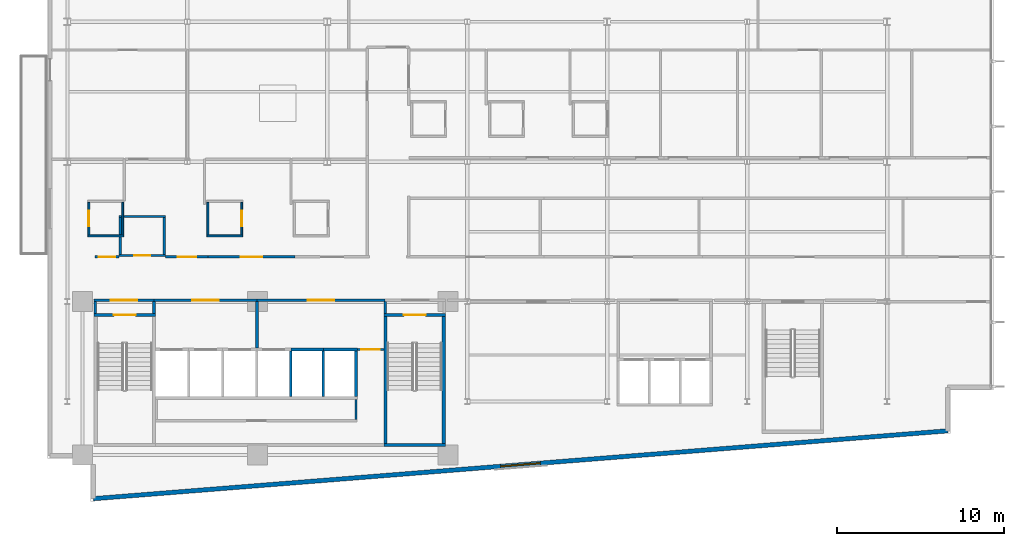
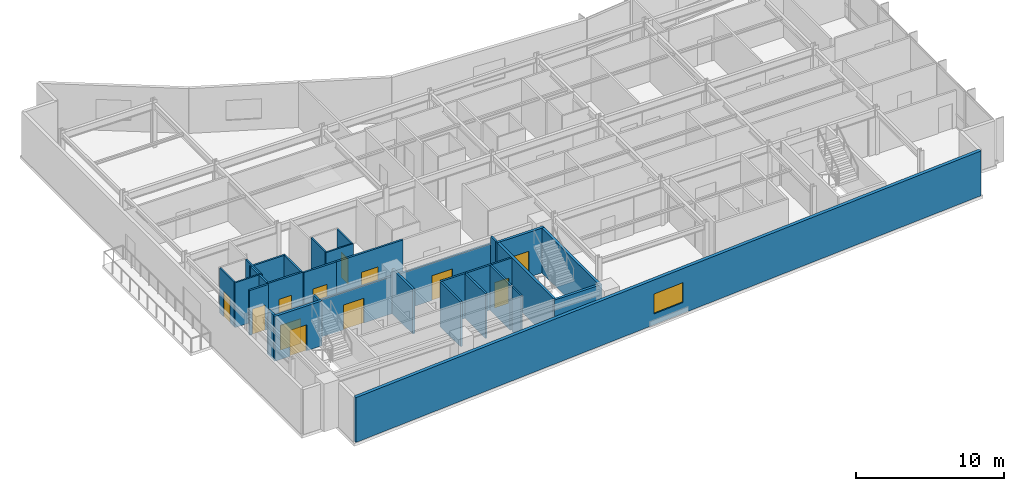
# One storey, part 10 of 19: 33 walls, 12 doors, 1 window, 13 openings.
"""IFC4 building model written with IfcOpenShell, lengths in metres."""

from ifc_helpers import new_model, si_unit, direction, frame, frame_2d, origin, place, context, subcontext, project, spatial, rectangle, extrude, material, layer, layer_set, type_object, element, fill, save


model = new_model("IFC4")

# Units and contexts
model_context = context("Model", 3, precision=1e-05, world=origin(), true_north=direction((0.0, 1.0)))
body_context = subcontext(model_context, "Body", "Model", "MODEL_VIEW")
ifc_project = project(units=[si_unit("LENGTHUNIT", "METRE"), si_unit("AREAUNIT", "SQUARE_METRE"), si_unit("VOLUMEUNIT", "CUBIC_METRE"), si_unit("PLANEANGLEUNIT", "RADIAN"), si_unit("MASSUNIT", "GRAM", prefix="KILO")], contexts=[model_context])

# Site, building, storey
site_placement = place(None, origin())
site = spatial("IfcSite", under=ifc_project, at=site_placement, CompositionType="ELEMENT")
building_placement = place(site_placement, origin())
building = spatial("IfcBuilding", under=site, at=building_placement, Name="Varnakote Quay Hospital", CompositionType="ELEMENT")
storey_placement = place(building_placement, frame((0.0, 0.0, 115.199951171875)))
storey = spatial("IfcBuildingStorey", under=building, at=storey_placement, Name="L28", CompositionType="ELEMENT", Elevation=115.199951171875)

# Wall
ifc_material_1 = material(Name="Fire-rated acoustic gypsum stud wall", Category="gypsum")
ifc_layer_1 = layer(ifc_material_1, 0.159912109375)
ifc_layer_set_1 = layer_set([ifc_layer_1], Name="Fire-rated acoustic gypsum stud wall")
wall_type_1 = type_object("IfcWallType", Name="WL-COMP-160", PredefinedType="PARTITIONING", material=ifc_layer_set_1)
wall_1_placement = place(storey_placement, frame((2.8798828125, 11.300048828125, 0.0), z_axis=(0.0, 0.0, 1.0), x_axis=(0.0, 1.0, 0.0)))
element("IfcWall", 1, at=wall_1_placement, inside=storey, type_object=wall_type_1, Name="L28 West Stair Vestibule West Wall", PredefinedType="PARTITIONING", context=body_context, shape_type="SweptSolid", body=[
    extrude(rectangle(XDim=0.699951171875, YDim=0.159912109375, at=frame_2d((0.35009765625, 0.0))), origin(), (0.0, 0.0, 1.0), 3.7099609375),
])

# Wall, opening, door
wall_2_placement = place(storey_placement, frame((2.800048828125, 12.080078125, 0.0), z_axis=(0.0, 0.0, 1.0), x_axis=(1.0, 0.0, 0.0)))
wall_2 = element("IfcWall", 2, at=wall_2_placement, inside=storey, type_object=wall_type_1, Name="L28 West Stair Vestibule Smoke Wall", PredefinedType="PARTITIONING", context=body_context, shape_type="SweptSolid", body=[
    extrude(rectangle(XDim=3.599853515625, YDim=0.159912109375, at=frame_2d((1.7998046875, 0.0))), origin(), (0.0, 0.0, 1.0), 3.0830078125),
])
opening_1_placement = place(wall_2_placement, frame((1.0, 0.0, 0.0)))
opening_1 = element("IfcOpeningElement", 3, at=opening_1_placement, cuts=wall_2, Name="Opening D-ST1L-L28", PredefinedType="OPENING", context=body_context, shape_type="SweptSolid", body=[
    extrude(rectangle(XDim=1.60009765625, YDim=2.050048828125, at=frame_2d((0.800048828125, 1.02490234375))), frame((0.0, 0.08984375, 0.0), z_axis=(0.0, -1.0, 0.0), x_axis=(1.0, 0.0, 0.0)), (0.0, 0.0, 1.0), 0.179931640625),
])
ifc_material_2 = material(Name="Fire-rated double smoke lobby door")
door_type_1 = type_object("IfcDoorType", Name="DR-LOBBY-FD60S-1600x2150", OperationType="NOTDEFINED", PredefinedType="DOOR", material=ifc_material_2)
door_1_placement = place(opening_1_placement, origin())
door_1 = element("IfcDoor", 4, at=door_1_placement, inside=storey, type_object=door_type_1, Name="L28 West Stair Vestibule Smoke Door", OperationType="DOUBLE_DOOR_SINGLE_SWING", OverallHeight=2.050048828125, OverallWidth=1.60009765625, PredefinedType="DOOR", context=body_context, shape_type="SweptSolid", body=[
    extrude(rectangle(XDim=1.60009765625, YDim=2.050048828125, at=frame_2d((0.800048828125, 1.02490234375))), frame((0.0, 0.02490234375, 0.0), z_axis=(0.0, -1.0, 0.0), x_axis=(1.0, 0.0, 0.0)), (0.0, 0.0, 1.0), 0.050048828125),
])
fill(opening_1, door_1)

# Wall
wall_3_placement = place(storey_placement, frame((6.39990234375, 11.300048828125, 0.0), z_axis=(0.0, 0.0, 1.0), x_axis=(0.0, 1.0, 0.0)))
element("IfcWall", 5, at=wall_3_placement, inside=storey, type_object=wall_type_1, Name="L28 Firefighting Lobby West Wall", PredefinedType="PARTITIONING", context=body_context, shape_type="SweptSolid", body=[
    extrude(rectangle(XDim=0.699951171875, YDim=0.159912109375, at=frame_2d((0.35009765625, 0.0))), origin(), (0.0, 0.0, 1.0), 3.7099609375),
])

# Wall, opening, door
wall_4_placement = place(storey_placement, frame((6.39990234375, 12.080078125, 0.0), z_axis=(0.0, 0.0, 1.0), x_axis=(1.0, 0.0, 0.0)))
wall_4 = element("IfcWall", 6, at=wall_4_placement, inside=storey, type_object=wall_type_1, Name="L28 Firefighting Lift Lobby Compartment Wall", PredefinedType="PARTITIONING", context=body_context, shape_type="SweptSolid", body=[
    extrude(rectangle(XDim=6.18017578125, YDim=0.159912109375, at=frame_2d((3.090087890625, 0.0))), origin(), (0.0, 0.0, 1.0), 3.0830078125),
])
opening_2_placement = place(wall_4_placement, frame((2.2900390625, 0.0, 0.0)))
opening_2 = element("IfcOpeningElement", 7, at=opening_2_placement, cuts=wall_4, Name="Opening D-FFL-L28", PredefinedType="OPENING", context=body_context, shape_type="SweptSolid", body=[
    extrude(rectangle(XDim=1.60009765625, YDim=2.050048828125, at=frame_2d((0.800048828125, 1.02490234375))), frame((0.0, 0.08984375, 0.0), z_axis=(0.0, -1.0, 0.0), x_axis=(1.0, 0.0, 0.0)), (0.0, 0.0, 1.0), 0.179931640625),
])
door_2_placement = place(opening_2_placement, origin())
door_2 = element("IfcDoor", 8, at=door_2_placement, inside=storey, type_object=door_type_1, Name="L28 Firefighting Smoke Vestibule Door", OperationType="DOUBLE_DOOR_SINGLE_SWING", OverallHeight=2.050048828125, OverallWidth=1.60009765625, PredefinedType="DOOR", context=body_context, shape_type="SweptSolid", body=[
    extrude(rectangle(XDim=1.60009765625, YDim=2.050048828125, at=frame_2d((0.800048828125, 1.02490234375))), frame((0.0, 0.02490234375, 0.0), z_axis=(0.0, -1.0, 0.0), x_axis=(1.0, 0.0, 0.0)), (0.0, 0.0, 1.0), 0.050048828125),
])
fill(opening_2, door_2)

# Wall
wall_5_placement = place(storey_placement, frame((12.580078125, 9.2099609375, 0.0), z_axis=(0.0, 0.0, 1.0), x_axis=(0.0, 1.0, 0.0)))
element("IfcWall", 9, at=wall_5_placement, inside=storey, type_object=wall_type_1, Name="L28 Firefighting to Service Lobby Wall", PredefinedType="PARTITIONING", context=body_context, shape_type="SweptSolid", body=[
    extrude(rectangle(XDim=2.7900390625, YDim=0.159912109375, at=frame_2d((1.39501953125, 0.0))), origin(), (0.0, 0.0, 1.0), 3.7099609375),
])

# Wall, opening, door
wall_6_placement = place(storey_placement, frame((12.580078125, 12.080078125, 0.0), z_axis=(0.0, 0.0, 1.0), x_axis=(1.0, 0.0, 0.0)))
wall_6 = element("IfcWall", 10, at=wall_6_placement, inside=storey, type_object=wall_type_1, Name="L28 Clinical Bed Lift Lobby Wall", PredefinedType="PARTITIONING", context=body_context, shape_type="SweptSolid", body=[
    extrude(rectangle(XDim=7.699951171875, YDim=0.159912109375, at=frame_2d((3.85009765625, 0.0))), origin(), (0.0, 0.0, 1.0), 3.0830078125),
])
opening_3_placement = place(wall_6_placement, frame((3.050048828125, 0.0, 0.0)))
opening_3 = element("IfcOpeningElement", 11, at=opening_3_placement, cuts=wall_6, Name="Opening D-SVL-L28", PredefinedType="OPENING", context=body_context, shape_type="SweptSolid", body=[
    extrude(rectangle(XDim=1.60009765625, YDim=2.050048828125, at=frame_2d((0.800048828125, 1.02490234375))), frame((0.0, 0.08984375, 0.0), z_axis=(0.0, -1.0, 0.0), x_axis=(1.0, 0.0, 0.0)), (0.0, 0.0, 1.0), 0.179931640625),
])
door_3_placement = place(opening_3_placement, origin())
door_3 = element("IfcDoor", 12, at=door_3_placement, inside=storey, type_object=door_type_1, Name="L28 Clinical Core Smoke Vestibule Door", OperationType="DOUBLE_DOOR_SINGLE_SWING", OverallHeight=2.050048828125, OverallWidth=1.60009765625, PredefinedType="DOOR", context=body_context, shape_type="SweptSolid", body=[
    extrude(rectangle(XDim=1.60009765625, YDim=2.050048828125, at=frame_2d((0.800048828125, 1.02490234375))), frame((0.0, 0.02490234375, 0.0), z_axis=(0.0, -1.0, 0.0), x_axis=(1.0, 0.0, 0.0)), (0.0, 0.0, 1.0), 0.050048828125),
])
fill(opening_3, door_3)

# Walls
wall_7_placement = place(storey_placement, frame((20.280029296875, 11.300048828125, 0.0), z_axis=(0.0, 0.0, 1.0), x_axis=(0.0, 1.0, 0.0)))
element("IfcWall", 13, at=wall_7_placement, inside=storey, type_object=wall_type_1, Name="L28 East Stair Vestibule Divider Wall", PredefinedType="PARTITIONING", context=body_context, shape_type="SweptSolid", body=[
    extrude(rectangle(XDim=0.699951171875, YDim=0.159912109375, at=frame_2d((0.35009765625, 0.0))), origin(), (0.0, 0.0, 1.0), 3.7099609375),
])
ifc_material_3 = material(Name="Moisture-resistant bathroom partition", Category="gypsum")
ifc_layer_2 = layer(ifc_material_3, 0.114990234375)
ifc_layer_set_2 = layer_set([ifc_layer_2], Name="Moisture-resistant bathroom partition")
wall_type_2 = type_object("IfcWallType", Name="WL-ENS-115", PredefinedType="PARTITIONING", material=ifc_layer_set_2)
wall_8_placement = place(storey_placement, frame((2.43505859375, 15.952392578125, 0.0), z_axis=(0.0, 0.0, 1.0), x_axis=(1.0, 0.0, 0.0)))
element("IfcWall", 14, at=wall_8_placement, inside=storey, type_object=wall_type_2, Name="L28 Inpatient En-Suite Bathroom 01 S Wall", PredefinedType="PARTITIONING", context=body_context, shape_type="SweptSolid", body=[
    extrude(rectangle(XDim=2.14990234375, YDim=0.114990234375, at=frame_2d((1.074951171875, 0.0))), origin(), (0.0, 0.0, 1.0), 3.7099609375),
])

# Wall, opening, door
wall_9_placement = place(storey_placement, frame((2.492431640625, 16.010009765625, 0.0), z_axis=(0.0, 0.0, 1.0), x_axis=(0.0, 1.0, 0.0)))
wall_9 = element("IfcWall", 15, at=wall_9_placement, inside=storey, type_object=wall_type_2, Name="L28 Inpatient En-Suite Bathroom 01 W Wall", PredefinedType="PARTITIONING", context=body_context, shape_type="SweptSolid", body=[
    extrude(rectangle(XDim=1.949951171875, YDim=0.114990234375, at=frame_2d((0.97509765625, 0.0))), origin(), (0.0, 0.0, 1.0), 3.7099609375),
])
opening_4_placement = place(wall_9_placement, frame((0.514892578125, 0.0, 0.0)))
opening_4 = element("IfcOpeningElement", 16, at=opening_4_placement, cuts=wall_9, Name="Opening D-L28-ENS01", PredefinedType="OPENING", context=body_context, shape_type="SweptSolid", body=[
    extrude(rectangle(XDim=0.919921875, YDim=2.10009765625, at=frame_2d((0.4599609375, 1.050048828125))), frame((0.0, 0.0673828125, 0.0), z_axis=(0.0, -1.0, 0.0), x_axis=(1.0, 0.0, 0.0)), (0.0, 0.0, 1.0), 0.135009765625),
])
ifc_material_4 = material(Name="Moisture-sealed en-suite bathroom door")
door_type_2 = type_object("IfcDoorType", Name="DR-ENS-920x2100", OperationType="NOTDEFINED", PredefinedType="DOOR", material=ifc_material_4)
door_4_placement = place(opening_4_placement, origin())
door_4 = element("IfcDoor", 17, at=door_4_placement, inside=storey, type_object=door_type_2, Name="L28 Inpatient En-Suite Bathroom 01 Door", OperationType="SINGLE_SWING_LEFT", OverallHeight=2.10009765625, OverallWidth=0.919921875, PredefinedType="DOOR", context=body_context, shape_type="SweptSolid", body=[
    extrude(rectangle(XDim=0.919921875, YDim=2.10009765625, at=frame_2d((0.4599609375, 1.050048828125))), frame((0.0, 0.02490234375, 0.0), z_axis=(0.0, -1.0, 0.0), x_axis=(1.0, 0.0, 0.0)), (0.0, 0.0, 1.0), 0.050048828125),
])
fill(opening_4, door_4)

# Walls
wall_10_placement = place(storey_placement, frame((4.527587890625, 16.010009765625, 0.0), z_axis=(0.0, 0.0, 1.0), x_axis=(0.0, 1.0, 0.0)))
element("IfcWall", 18, at=wall_10_placement, inside=storey, type_object=wall_type_2, Name="L28 Inpatient En-Suite Bathroom 01 E Wall", PredefinedType="PARTITIONING", context=body_context, shape_type="SweptSolid", body=[
    extrude(rectangle(XDim=1.949951171875, YDim=0.114990234375, at=frame_2d((0.97509765625, 0.0))), origin(), (0.0, 0.0, 1.0), 3.7099609375),
])
wall_11_placement = place(storey_placement, frame((9.574951171875, 15.952392578125, 0.0), z_axis=(0.0, 0.0, 1.0), x_axis=(1.0, 0.0, 0.0)))
element("IfcWall", 19, at=wall_11_placement, inside=storey, type_object=wall_type_2, Name="L28 Inpatient En-Suite Bathroom 02 S Wall", PredefinedType="PARTITIONING", context=body_context, shape_type="SweptSolid", body=[
    extrude(rectangle(XDim=2.150146484375, YDim=0.114990234375, at=frame_2d((1.0751953125, 0.0))), origin(), (0.0, 0.0, 1.0), 3.7099609375),
])
wall_12_placement = place(storey_placement, frame((9.632568359375, 16.010009765625, 0.0), z_axis=(0.0, 0.0, 1.0), x_axis=(0.0, 1.0, 0.0)))
element("IfcWall", 20, at=wall_12_placement, inside=storey, type_object=wall_type_2, Name="L28 Inpatient En-Suite Bathroom 02 W Wall", PredefinedType="PARTITIONING", context=body_context, shape_type="SweptSolid", body=[
    extrude(rectangle(XDim=1.949951171875, YDim=0.114990234375, at=frame_2d((0.97509765625, 0.0))), origin(), (0.0, 0.0, 1.0), 3.7099609375),
])

# Wall, opening, door
wall_13_placement = place(storey_placement, frame((11.66748046875, 16.010009765625, 0.0), z_axis=(0.0, 0.0, 1.0), x_axis=(0.0, 1.0, 0.0)))
wall_13 = element("IfcWall", 21, at=wall_13_placement, inside=storey, type_object=wall_type_2, Name="L28 Inpatient En-Suite Bathroom 02 E Wall", PredefinedType="PARTITIONING", context=body_context, shape_type="SweptSolid", body=[
    extrude(rectangle(XDim=1.949951171875, YDim=0.114990234375, at=frame_2d((0.97509765625, 0.0))), origin(), (0.0, 0.0, 1.0), 3.7099609375),
])
opening_5_placement = place(wall_13_placement, frame((0.514892578125, 0.0, 0.0)))
opening_5 = element("IfcOpeningElement", 22, at=opening_5_placement, cuts=wall_13, Name="Opening D-L28-ENS02", PredefinedType="OPENING", context=body_context, shape_type="SweptSolid", body=[
    extrude(rectangle(XDim=0.919921875, YDim=2.10009765625, at=frame_2d((0.4599609375, 1.050048828125))), frame((0.0, 0.0673828125, 0.0), z_axis=(0.0, -1.0, 0.0), x_axis=(1.0, 0.0, 0.0)), (0.0, 0.0, 1.0), 0.135009765625),
])
door_5_placement = place(opening_5_placement, origin())
door_5 = element("IfcDoor", 23, at=door_5_placement, inside=storey, type_object=door_type_2, Name="L28 Inpatient En-Suite Bathroom 02 Door", OperationType="SINGLE_SWING_RIGHT", OverallHeight=2.10009765625, OverallWidth=0.919921875, PredefinedType="DOOR", context=body_context, shape_type="SweptSolid", body=[
    extrude(rectangle(XDim=0.919921875, YDim=2.10009765625, at=frame_2d((0.4599609375, 1.050048828125))), frame((0.0, 0.02490234375, 0.0), z_axis=(0.0, -1.0, 0.0), x_axis=(1.0, 0.0, 0.0)), (0.0, 0.0, 1.0), 0.050048828125),
])
fill(opening_5, door_5)

# Wall, opening, window
ifc_material_5 = material(Name="Precast concrete N50 (f'c 50 MPa)", Category="concrete")
ifc_layer_3 = layer(ifc_material_5, 0.260009765625)
ifc_layer_set_3 = layer_set([ifc_layer_3], Name="Precast concrete N50 (f'c 50 MPa)")
wall_type_3 = type_object("IfcWallType", Name="WL-EXT-BRICK-260", PredefinedType="STANDARD", material=ifc_layer_set_3)
wall_14_placement = place(storey_placement, frame((2.760009765625, 0.173095703125, 0.0), z_axis=(0.0, 0.0, 1.0), x_axis=(0.996857931723, 0.079210251617, 0.0)))
wall_14 = element("IfcWall", 24, at=wall_14_placement, inside=storey, type_object=wall_type_3, Name="L28 Brick-Faced Precast Exterior Wall", PredefinedType="STANDARD", context=body_context, shape_type="SweptSolid", body=[
    extrude(rectangle(XDim=51.441650390625, YDim=0.260009765625, at=frame_2d((25.720703125, 0.0))), origin(), (0.0, 0.0, 1.0), 3.7099609375),
])
opening_6_placement = place(wall_14_placement, frame((24.520751953125, 0.0, 0.89990234375)))
opening_6 = element("IfcOpeningElement", 25, at=opening_6_placement, cuts=wall_14, Name="Opening WN-0122", PredefinedType="OPENING", context=body_context, shape_type="SweptSolid", body=[
    extrude(rectangle(XDim=2.39990234375, YDim=1.64990234375, at=frame_2d((1.199951171875, 0.824951171875))), frame((0.0, 0.139892578125, 0.0), z_axis=(0.0, -1.0, 0.0), x_axis=(1.0, 0.0, 0.0)), (0.0, 0.0, 1.0), 0.280029296875),
])
ifc_material_6 = material(Name="Double-glazed low-E solar glass", Category="glass")
window_type = type_object("IfcWindowType", Name="WIN-CLIN-2400x1650", PartitioningType="SINGLE_PANEL", PredefinedType="WINDOW", material=ifc_material_6)
window_placement = place(opening_6_placement, origin())
window = element("IfcWindow", 26, at=window_placement, inside=storey, type_object=window_type, Name="L28 Solar-Control Clinical Window", OverallHeight=1.64990234375, OverallWidth=2.39990234375, PartitioningType="SINGLE_PANEL", PredefinedType="WINDOW", context=body_context, shape_type="SweptSolid", body=[
    extrude(rectangle(XDim=2.39990234375, YDim=1.64990234375, at=frame_2d((1.199951171875, 0.824951171875))), frame((0.0, 0.030029296875, 0.0), z_axis=(0.0, -1.0, 0.0), x_axis=(1.0, 0.0, 0.0)), (0.0, 0.0, 1.0), 0.06005859375),
])
fill(opening_6, window)

# Walls
ifc_material_7 = material(Name="Concrete N50 (f'c 50 MPa)", Category="concrete")
ifc_layer_4 = layer(ifc_material_7, 0.14990234375)
ifc_layer_set_4 = layer_set([ifc_layer_4], Name="Concrete N50 (f'c 50 MPa)")
wall_type_4 = type_object("IfcWallType", Name="WL-SHAFT-N50-150", PredefinedType="SHEAR", material=ifc_layer_set_4)
for number, where, z_axis, x_axis, name in (
    (27, (14.625, 6.300048828125, 0.0), (0.0, 0.0, 1.0), (0.0, 1.0, 0.0), "L28 LF-SV2 Hoistway Divider Wall"),
    (28, (16.574951171875, 6.300048828125, 0.0), (0.0, 0.0, 1.0), (0.0, 1.0, 0.0), "L28 LF-PH1 Hoistway Divider Wall"),
):
    element("IfcWall", number, at=place(storey_placement, frame(where, z_axis=z_axis, x_axis=x_axis)), inside=storey, type_object=wall_type_4, Name=name, PredefinedType="SHEAR", context=body_context, shape_type="SweptSolid", body=[
        extrude(rectangle(XDim=2.75, YDim=0.14990234375, at=frame_2d((1.375, 0.0))), origin(), (0.0, 0.0, 1.0), 3.7099609375),
    ])
ifc_material_8 = material(Name="Concrete N50 (f'c 50 MPa)", Category="concrete")
ifc_layer_5 = layer(ifc_material_8, 0.159912109375)
ifc_layer_set_5 = layer_set([ifc_layer_5], Name="Concrete N50 (f'c 50 MPa)")
wall_type_5 = type_object("IfcWallType", Name="WL-SHAFT-N50-160", PredefinedType="SHEAR", material=ifc_layer_set_5)
wall_15_placement = place(storey_placement, frame((18.530029296875, 6.300048828125, 0.0), z_axis=(0.0, 0.0, 1.0), x_axis=(0.0, 1.0, 0.0)))
element("IfcWall", 29, at=wall_15_placement, inside=storey, type_object=wall_type_5, Name="L28 REAR Lift Bank East Shear Wall", PredefinedType="SHEAR", context=body_context, shape_type="SweptSolid", body=[
    extrude(rectangle(XDim=2.75, YDim=0.159912109375, at=frame_2d((1.375, 0.0))), origin(), (0.0, 0.0, 1.0), 3.7099609375),
])
wall_16_placement = place(storey_placement, frame((14.625, 9.1298828125, 0.0), z_axis=(0.0, 0.0, 1.0), x_axis=(1.0, 0.0, 0.0)))
element("IfcWall", 30, at=wall_16_placement, inside=storey, type_object=wall_type_5, Name="L28 LF-PH1 Hoistway Front Wall", PredefinedType="SHEAR", context=body_context, shape_type="SweptSolid", body=[
    extrude(rectangle(XDim=1.949951171875, YDim=0.159912109375, at=frame_2d((0.97509765625, 0.0))), origin(), (0.0, 0.0, 1.0), 3.7099609375),
])
wall_17_placement = place(storey_placement, frame((16.574951171875, 9.1298828125, 0.0), z_axis=(0.0, 0.0, 1.0), x_axis=(1.0, 0.0, 0.0)))
element("IfcWall", 31, at=wall_17_placement, inside=storey, type_object=wall_type_5, Name="L28 LF-PH2 Hoistway Front Wall", PredefinedType="SHEAR", context=body_context, shape_type="SweptSolid", body=[
    extrude(rectangle(XDim=2.03515625, YDim=0.159912109375, at=frame_2d((1.017578125, 0.0))), origin(), (0.0, 0.0, 1.0), 3.7099609375),
])

# Wall, opening, door
ifc_material_9 = material(Name="Concrete N50 (f'c 50 MPa)", Category="concrete")
ifc_layer_6 = layer(ifc_material_9, 0.199951171875)
ifc_layer_set_6 = layer_set([ifc_layer_6], Name="Concrete N50 (f'c 50 MPa)")
wall_type_6 = type_object("IfcWallType", Name="WL-SHAFT-N50-200", PredefinedType="SHEAR", material=ifc_layer_set_6)
wall_18_placement = place(storey_placement, frame((2.800048828125, 11.199951171875, 0.0), z_axis=(0.0, 0.0, 1.0), x_axis=(1.0, 0.0, 0.0)))
wall_18 = element("IfcWall", 32, at=wall_18_placement, inside=storey, type_object=wall_type_6, Name="L28 Stair ST1 Exit Wall", PredefinedType="SHEAR", context=body_context, shape_type="SweptSolid", body=[
    extrude(rectangle(XDim=3.699951171875, YDim=0.199951171875, at=frame_2d((1.85009765625, 0.0))), origin(), (0.0, 0.0, 1.0), 3.7099609375),
])
opening_7_placement = place(wall_18_placement, frame((1.199951171875, 0.0, 0.0)))
opening_7 = element("IfcOpeningElement", 33, at=opening_7_placement, cuts=wall_18, Name="Opening D-ST1-L28", PredefinedType="OPENING", context=body_context, shape_type="SweptSolid", body=[
    extrude(rectangle(XDim=1.300048828125, YDim=2.14990234375, at=frame_2d((0.64990234375, 1.074951171875))), frame((0.0, 0.10986328125, 0.0), z_axis=(0.0, -1.0, 0.0), x_axis=(1.0, 0.0, 0.0)), (0.0, 0.0, 1.0), 0.219970703125),
])
ifc_material_10 = material(Name="Fire-rated ceramic-glazed timber exit door", Category="wood")
door_type_3 = type_object("IfcDoorType", Name="DR-STAIR-FD60S-1300x2150", OperationType="NOTDEFINED", PredefinedType="DOOR", material=ifc_material_10)
door_6_placement = place(opening_7_placement, origin())
door_6 = element("IfcDoor", 34, at=door_6_placement, inside=storey, type_object=door_type_3, Name="L28 Stair ST1 Fire Exit Door", OperationType="SINGLE_SWING_LEFT", OverallHeight=2.14990234375, OverallWidth=1.300048828125, PredefinedType="DOOR", context=body_context, shape_type="SweptSolid", body=[
    extrude(rectangle(XDim=1.300048828125, YDim=2.14990234375, at=frame_2d((0.64990234375, 1.074951171875))), frame((0.0, 0.02490234375, 0.0), z_axis=(0.0, -1.0, 0.0), x_axis=(1.0, 0.0, 0.0)), (0.0, 0.0, 1.0), 0.050048828125),
])
fill(opening_7, door_6)

# Walls
wall_19_placement = place(storey_placement, frame((20.199951171875, 3.39990234375, 0.0), z_axis=(0.0, 0.0, 1.0), x_axis=(1.0, 0.0, 0.0)))
element("IfcWall", 35, at=wall_19_placement, inside=storey, type_object=wall_type_6, Name="L28 Stair ST2 South Shaft Wall", PredefinedType="SHEAR", context=body_context, shape_type="SweptSolid", body=[
    extrude(rectangle(XDim=3.699951171875, YDim=0.199951171875, at=frame_2d((1.85009765625, 0.0))), origin(), (0.0, 0.0, 1.0), 3.7099609375),
])
for number, where, z_axis, x_axis, name in (
    (36, (20.300048828125, 3.5, 0.0), (0.0, 0.0, 1.0), (0.0, 1.0, 0.0), "L28 Stair ST2 West Shaft Wall"),
    (37, (23.800048828125, 3.5, 0.0), (0.0, 0.0, 1.0), (0.0, 1.0, 0.0), "L28 Stair ST2 East Shaft Wall"),
):
    element("IfcWall", number, at=place(storey_placement, frame(where, z_axis=z_axis, x_axis=x_axis)), inside=storey, type_object=wall_type_6, Name=name, PredefinedType="SHEAR", context=body_context, shape_type="SweptSolid", body=[
        extrude(rectangle(XDim=7.60009765625, YDim=0.199951171875, at=frame_2d((3.800048828125, 0.0))), origin(), (0.0, 0.0, 1.0), 3.7099609375),
    ])

# Wall, opening, door
wall_20_placement = place(storey_placement, frame((20.199951171875, 11.199951171875, 0.0), z_axis=(0.0, 0.0, 1.0), x_axis=(1.0, 0.0, 0.0)))
wall_20 = element("IfcWall", 38, at=wall_20_placement, inside=storey, type_object=wall_type_6, Name="L28 Stair ST2 Exit Wall", PredefinedType="SHEAR", context=body_context, shape_type="SweptSolid", body=[
    extrude(rectangle(XDim=3.699951171875, YDim=0.199951171875, at=frame_2d((1.85009765625, 0.0))), origin(), (0.0, 0.0, 1.0), 3.7099609375),
])
opening_8_placement = place(wall_20_placement, frame((1.199951171875, 0.0, 0.0)))
opening_8 = element("IfcOpeningElement", 39, at=opening_8_placement, cuts=wall_20, Name="Opening D-ST2-L28", PredefinedType="OPENING", context=body_context, shape_type="SweptSolid", body=[
    extrude(rectangle(XDim=1.300048828125, YDim=2.14990234375, at=frame_2d((0.64990234375, 1.074951171875))), frame((0.0, 0.10986328125, 0.0), z_axis=(0.0, -1.0, 0.0), x_axis=(1.0, 0.0, 0.0)), (0.0, 0.0, 1.0), 0.219970703125),
])
door_7_placement = place(opening_8_placement, origin())
door_7 = element("IfcDoor", 40, at=door_7_placement, inside=storey, type_object=door_type_3, Name="L28 Stair ST2 Fire Exit Door", OperationType="SINGLE_SWING_RIGHT", OverallHeight=2.14990234375, OverallWidth=1.300048828125, PredefinedType="DOOR", context=body_context, shape_type="SweptSolid", body=[
    extrude(rectangle(XDim=1.300048828125, YDim=2.14990234375, at=frame_2d((0.64990234375, 1.074951171875))), frame((0.0, 0.02490234375, 0.0), z_axis=(0.0, -1.0, 0.0), x_axis=(1.0, 0.0, 0.0)), (0.0, 0.0, 1.0), 0.050048828125),
])
fill(opening_8, door_7)

# Wall
ifc_material_11 = material(Name="Smoke-proof clinical partition", Category="gypsum")
ifc_layer_7 = layer(ifc_material_11, 0.1201171875)
ifc_layer_set_7 = layer_set([ifc_layer_7], Name="Smoke-proof clinical partition")
wall_type_7 = type_object("IfcWallType", Name="WL-SMOKE-120", PredefinedType="PARTITIONING", material=ifc_layer_set_7)
wall_21_placement = place(storey_placement, frame((18.5400390625, 4.919921875, 0.0), z_axis=(0.0, 0.0, 1.0), x_axis=(0.0, 1.0, 0.0)))
element("IfcWall", 41, at=wall_21_placement, inside=storey, type_object=wall_type_7, Name="L28 Core Service Strip East Wall", PredefinedType="PARTITIONING", context=body_context, shape_type="SweptSolid", body=[
    extrude(rectangle(XDim=1.219970703125, YDim=0.1201171875, at=frame_2d((0.60986328125, 0.0))), origin(), (0.0, 0.0, 1.0), 3.7099609375),
])

# Wall, opening, door
ifc_material_12 = material(Name="Fire-rated clinical gypsum partition", Category="gypsum")
ifc_layer_8 = layer(ifc_material_12, 0.139892578125)
ifc_layer_set_8 = layer_set([ifc_layer_8], Name="Fire-rated clinical gypsum partition")
wall_type_8 = type_object("IfcWallType", Name="WL-WARD-140", PredefinedType="PARTITIONING", material=ifc_layer_set_8)
wall_22_placement = place(storey_placement, frame((18.610107421875, 9.1298828125, 0.0), z_axis=(0.0, 0.0, 1.0), x_axis=(1.0, 0.0, 0.0)))
wall_22 = element("IfcWall", 42, at=wall_22_placement, inside=storey, type_object=wall_type_8, Name="L28 Core Service Corridor North Door Wall", PredefinedType="PARTITIONING", context=body_context, shape_type="SweptSolid", body=[
    extrude(rectangle(XDim=1.58984375, YDim=0.139892578125, at=frame_2d((0.794921875, 0.0))), origin(), (0.0, 0.0, 1.0), 3.7099609375),
])
opening_9_placement = place(wall_22_placement, frame((0.239990234375, 0.0, 0.0)))
opening_9 = element("IfcOpeningElement", 43, at=opening_9_placement, cuts=wall_22, Name="Opening D-CSRV-L28", PredefinedType="OPENING", context=body_context, shape_type="SweptSolid", body=[
    extrude(rectangle(XDim=1.10009765625, YDim=2.10009765625, at=frame_2d((0.550048828125, 1.050048828125))), frame((0.0, 0.079833984375, 0.0), z_axis=(0.0, -1.0, 0.0), x_axis=(1.0, 0.0, 0.0)), (0.0, 0.0, 1.0), 0.159912109375),
])
ifc_material_13 = material(Name="Acoustic timber clinical consult door", Category="wood")
door_type_4 = type_object("IfcDoorType", Name="DR-CLIN-FD30S-1100x2100", OperationType="NOTDEFINED", PredefinedType="DOOR", material=ifc_material_13)
door_8_placement = place(opening_9_placement, origin())
door_8 = element("IfcDoor", 44, at=door_8_placement, inside=storey, type_object=door_type_4, Name="L28 Core Service Corridor Door", OperationType="SINGLE_SWING_LEFT", OverallHeight=2.10009765625, OverallWidth=1.10009765625, PredefinedType="DOOR", context=body_context, shape_type="SweptSolid", body=[
    extrude(rectangle(XDim=1.10009765625, YDim=2.10009765625, at=frame_2d((0.550048828125, 1.050048828125))), frame((0.0, 0.02490234375, 0.0), z_axis=(0.0, -1.0, 0.0), x_axis=(1.0, 0.0, 0.0)), (0.0, 0.0, 1.0), 0.050048828125),
])
fill(opening_9, door_8)

wall_23_placement = place(storey_placement, frame((4.31005859375, 14.77001953125, 0.0), z_axis=(0.0, 0.0, 1.0), x_axis=(1.0, 0.0, 0.0)))
wall_23 = element("IfcWall", 45, at=wall_23_placement, inside=storey, type_object=wall_type_8, Name="L28 Floor Unisex Accessible WC S Wall", PredefinedType="PARTITIONING", context=body_context, shape_type="SweptSolid", body=[
    extrude(rectangle(XDim=2.780029296875, YDim=0.139892578125, at=frame_2d((1.39013671875, 0.0))), origin(), (0.0, 0.0, 1.0), 3.7099609375),
])
opening_10_placement = place(wall_23_placement, frame((0.89990234375, 0.0, 0.0)))
opening_10 = element("IfcOpeningElement", 46, at=opening_10_placement, cuts=wall_23, Name="Opening D-L28-EW01", PredefinedType="OPENING", context=body_context, shape_type="SweptSolid", body=[
    extrude(rectangle(XDim=0.97998046875, YDim=2.10009765625, at=frame_2d((0.489990234375, 1.050048828125))), frame((0.0, 0.079833984375, 0.0), z_axis=(0.0, -1.0, 0.0), x_axis=(1.0, 0.0, 0.0)), (0.0, 0.0, 1.0), 0.159912109375),
])
ifc_material_14 = material(Name="Accessible sanitary compartment door")
door_type_5 = type_object("IfcDoorType", Name="DR-WC-980x2100", OperationType="NOTDEFINED", PredefinedType="DOOR", material=ifc_material_14)
door_9_placement = place(opening_10_placement, origin())
door_9 = element("IfcDoor", 47, at=door_9_placement, inside=storey, type_object=door_type_5, Name="L28 Floor Unisex Accessible WC Door", OperationType="SINGLE_SWING_RIGHT", OverallHeight=2.10009765625, OverallWidth=0.97998046875, PredefinedType="DOOR", context=body_context, shape_type="SweptSolid", body=[
    extrude(rectangle(XDim=0.97998046875, YDim=2.10009765625, at=frame_2d((0.489990234375, 1.050048828125))), frame((0.0, 0.02490234375, 0.0), z_axis=(0.0, -1.0, 0.0), x_axis=(1.0, 0.0, 0.0)), (0.0, 0.0, 1.0), 0.050048828125),
])
fill(opening_10, door_9)

# Walls
wall_24_placement = place(storey_placement, frame((4.31005859375, 17.110107421875, 0.0), z_axis=(0.0, 0.0, 1.0), x_axis=(1.0, 0.0, 0.0)))
element("IfcWall", 48, at=wall_24_placement, inside=storey, type_object=wall_type_8, Name="L28 Floor Unisex Accessible WC N Wall", PredefinedType="PARTITIONING", context=body_context, shape_type="SweptSolid", body=[
    extrude(rectangle(XDim=2.780029296875, YDim=0.139892578125, at=frame_2d((1.39013671875, 0.0))), origin(), (0.0, 0.0, 1.0), 3.7099609375),
])
for number, where, z_axis, x_axis, name in (
    (49, (4.3798828125, 14.840087890625, 0.0), (0.0, 0.0, 1.0), (0.0, 1.0, 0.0), "L28 Floor Unisex Accessible WC W Wall"),
    (50, (7.02001953125, 14.840087890625, 0.0), (0.0, 0.0, 1.0), (0.0, 1.0, 0.0), "L28 Floor Unisex Accessible WC E Wall"),
):
    element("IfcWall", number, at=place(storey_placement, frame(where, z_axis=z_axis, x_axis=x_axis)), inside=storey, type_object=wall_type_8, Name=name, PredefinedType="PARTITIONING", context=body_context, shape_type="SweptSolid", body=[
        extrude(rectangle(XDim=2.199951171875, YDim=0.139892578125, at=frame_2d((1.10009765625, 0.0))), origin(), (0.0, 0.0, 1.0), 3.7099609375),
    ])

# Wall, opening, door
ifc_material_15 = material(Name="Fire-rated clinical gypsum partition", Category="gypsum")
ifc_layer_9 = layer(ifc_material_15, 0.14990234375)
ifc_layer_set_9 = layer_set([ifc_layer_9], Name="Fire-rated clinical gypsum partition")
wall_type_9 = type_object("IfcWallType", Name="WL-WARD-150", PredefinedType="PARTITIONING", material=ifc_layer_set_9)
wall_25_placement = place(storey_placement, frame((4.30810546875, 14.679931640625, 0.0), z_axis=(0.0, 0.0, 1.0), x_axis=(-1.0, 0.0, 0.0)))
wall_25 = element("IfcWall", 51, at=wall_25_placement, inside=storey, type_object=wall_type_9, Name="L28 Clinical Interior Partition", PredefinedType="PARTITIONING", context=body_context, shape_type="SweptSolid", body=[
    extrude(rectangle(XDim=1.4580078125, YDim=0.14990234375, at=frame_2d((0.72900390625, 0.0))), origin(), (0.0, 0.0, 1.0), 3.7099609375),
])
opening_11_placement = place(wall_25_placement, frame((0.239013671875, 0.0, 0.0)))
opening_11 = element("IfcOpeningElement", 52, at=opening_11_placement, cuts=wall_25, Name="Opening D-L28-BR01", PredefinedType="OPENING", context=body_context, shape_type="SweptSolid", body=[
    extrude(rectangle(XDim=0.97998046875, YDim=2.10009765625, at=frame_2d((0.489990234375, 1.050048828125))), frame((0.0, 0.0849609375, 0.0), z_axis=(0.0, -1.0, 0.0), x_axis=(1.0, 0.0, 0.0)), (0.0, 0.0, 1.0), 0.169921875),
])
door_10_placement = place(opening_11_placement, origin())
door_10 = element("IfcDoor", 53, at=door_10_placement, inside=storey, type_object=door_type_5, Name="L28 Resident Care Bedroom 01 Door", OperationType="SINGLE_SWING_LEFT", OverallHeight=2.10009765625, OverallWidth=0.97998046875, PredefinedType="DOOR", context=body_context, shape_type="SweptSolid", body=[
    extrude(rectangle(XDim=0.97998046875, YDim=2.10009765625, at=frame_2d((0.489990234375, 1.050048828125))), frame((0.0, 0.02490234375, 0.0), z_axis=(0.0, -1.0, 0.0), x_axis=(1.0, 0.0, 0.0)), (0.0, 0.0, 1.0), 0.050048828125),
])
fill(opening_11, door_10)

wall_26_placement = place(storey_placement, frame((9.656005859375, 14.679931640625, 0.0), z_axis=(0.0, 0.0, 1.0), x_axis=(-1.0, 0.0, 0.0)))
wall_26 = element("IfcWall", 54, at=wall_26_placement, inside=storey, type_object=wall_type_9, Name="L28 Clinical Interior Partition", PredefinedType="PARTITIONING", context=body_context, shape_type="SweptSolid", body=[
    extrude(rectangle(XDim=2.56396484375, YDim=0.14990234375, at=frame_2d((1.281982421875, 0.0))), origin(), (0.0, 0.0, 1.0), 3.7099609375),
])
opening_12_placement = place(wall_26_placement, frame((0.73193359375, 0.0, 0.0)))
opening_12 = element("IfcOpeningElement", 55, at=opening_12_placement, cuts=wall_26, Name="Opening D-L28-MD01", PredefinedType="OPENING", context=body_context, shape_type="SweptSolid", body=[
    extrude(rectangle(XDim=1.10009765625, YDim=2.10009765625, at=frame_2d((0.550048828125, 1.050048828125))), frame((0.0, 0.0849609375, 0.0), z_axis=(0.0, -1.0, 0.0), x_axis=(1.0, 0.0, 0.0)), (0.0, 0.0, 1.0), 0.169921875),
])
door_11_placement = place(opening_12_placement, origin())
door_11 = element("IfcDoor", 56, at=door_11_placement, inside=storey, type_object=door_type_4, Name="L28 Ward Nurse Station Office Door", OperationType="SINGLE_SWING_RIGHT", OverallHeight=2.10009765625, OverallWidth=1.10009765625, PredefinedType="DOOR", context=body_context, shape_type="SweptSolid", body=[
    extrude(rectangle(XDim=1.10009765625, YDim=2.10009765625, at=frame_2d((0.550048828125, 1.050048828125))), frame((0.0, 0.02490234375, 0.0), z_axis=(0.0, -1.0, 0.0), x_axis=(1.0, 0.0, 0.0)), (0.0, 0.0, 1.0), 0.050048828125),
])
fill(opening_12, door_11)

wall_27_placement = place(storey_placement, frame((14.85595703125, 14.679931640625, 0.0), z_axis=(0.0, 0.0, 1.0), x_axis=(-1.0, 0.0, 0.0)))
wall_27 = element("IfcWall", 57, at=wall_27_placement, inside=storey, type_object=wall_type_9, Name="L28 Clinical Interior Partition", PredefinedType="PARTITIONING", context=body_context, shape_type="SweptSolid", body=[
    extrude(rectangle(XDim=5.197998046875, YDim=0.14990234375, at=frame_2d((2.59912109375, 0.0))), origin(), (0.0, 0.0, 1.0), 3.7099609375),
])
opening_13_placement = place(wall_27_placement, frame((1.948974609375, 0.0, 0.0)))
opening_13 = element("IfcOpeningElement", 58, at=opening_13_placement, cuts=wall_27, Name="Opening D-L28-BR02", PredefinedType="OPENING", context=body_context, shape_type="SweptSolid", body=[
    extrude(rectangle(XDim=1.300048828125, YDim=2.14990234375, at=frame_2d((0.64990234375, 1.074951171875))), frame((0.0, 0.0849609375, 0.0), z_axis=(0.0, -1.0, 0.0), x_axis=(1.0, 0.0, 0.0)), (0.0, 0.0, 1.0), 0.169921875),
])
ifc_material_16 = material(Name="Solid-core timber clinical bed door", Category="wood")
door_type_6 = type_object("IfcDoorType", Name="DR-WARD-FD30S-1300x2150", OperationType="NOTDEFINED", PredefinedType="DOOR", material=ifc_material_16)
door_12_placement = place(opening_13_placement, origin())
door_12 = element("IfcDoor", 59, at=door_12_placement, inside=storey, type_object=door_type_6, Name="L28 Resident Care Bedroom 02 Door", OperationType="SINGLE_SWING_LEFT", OverallHeight=2.14990234375, OverallWidth=1.300048828125, PredefinedType="DOOR", context=body_context, shape_type="SweptSolid", body=[
    extrude(rectangle(XDim=1.300048828125, YDim=2.14990234375, at=frame_2d((0.64990234375, 1.074951171875))), frame((0.0, 0.02490234375, 0.0), z_axis=(0.0, -1.0, 0.0), x_axis=(1.0, 0.0, 0.0)), (0.0, 0.0, 1.0), 0.050048828125),
])
fill(opening_13, door_12)

save(model, "model.ifc")
